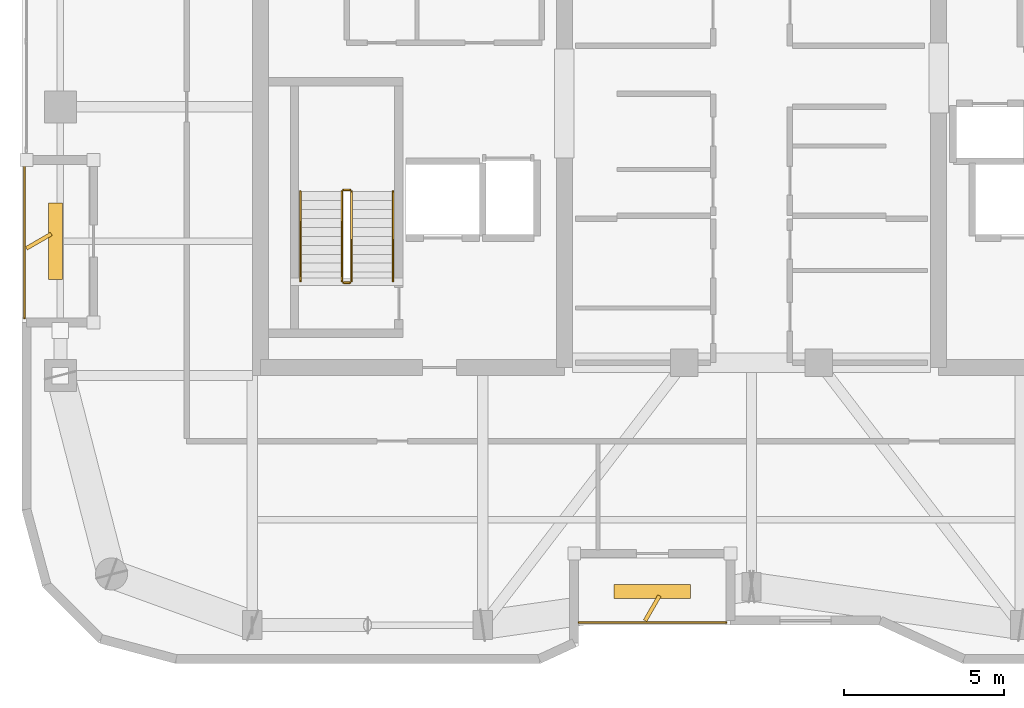
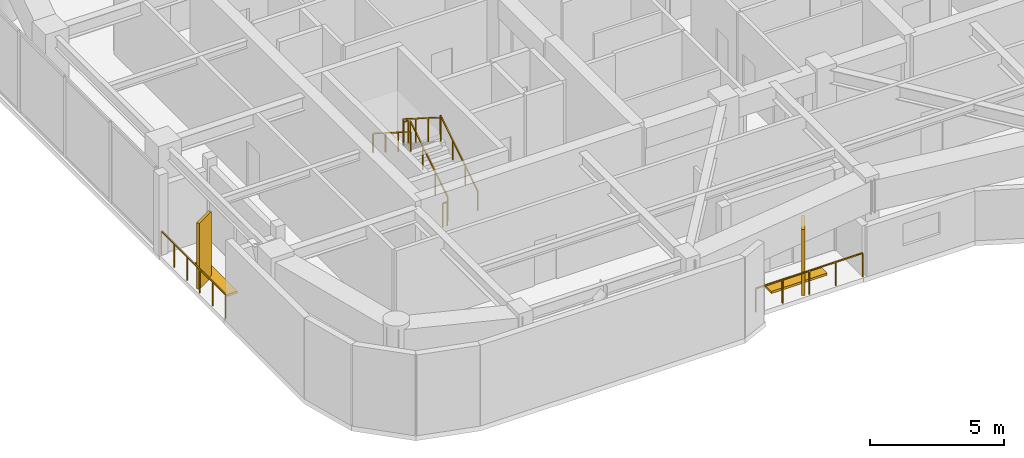
# One storey, part 14 of 15: 8 railings, 4 shading devices.
"""IFC4 building model written with IfcOpenShell, lengths in metres."""

from ifc_helpers import new_model, si_unit, direction, frame, origin, origin_2d, place, context, subcontext, project, spatial, rectangle, extrude, material, type_object, element, save


model = new_model("IFC4")

# Units and contexts
model_context = context("Model", 3, precision=1e-05, world=origin(), true_north=direction((0.0, 1.0)))
body_context = subcontext(model_context, "Body", "Model", "MODEL_VIEW")
ifc_project = project(units=[si_unit("LENGTHUNIT", "METRE"), si_unit("AREAUNIT", "SQUARE_METRE"), si_unit("VOLUMEUNIT", "CUBIC_METRE"), si_unit("PLANEANGLEUNIT", "RADIAN"), si_unit("MASSUNIT", "GRAM", prefix="KILO")], contexts=[model_context])

# Site, building, storey
site_placement = place(None, origin())
site = spatial("IfcSite", under=ifc_project, at=site_placement, CompositionType="ELEMENT")
building_placement = place(site_placement, origin())
building = spatial("IfcBuilding", under=site, at=building_placement, Name="Kiyonajd Concourse Tower", CompositionType="ELEMENT")
storey_placement = place(building_placement, frame((0.0, 0.0, 270.60009765625)))
storey = spatial("IfcBuildingStorey", under=building, at=storey_placement, Name="L68", CompositionType="ELEMENT", Elevation=270.60009765625)

# Railings
ifc_material_1 = material(Name="Thermally Broken Anodised Aluminium", Category="aluminium")
railing_type_1 = type_object("IfcRailingType", Name="RL-GRD-LOG", PredefinedType="GUARDRAIL", material=ifc_material_1)
railing_1_placement = place(storey_placement, frame((42.60009765625, 19.8798828125, 0.0)))
element("IfcRailing", 1, at=railing_1_placement, inside=storey, type_object=railing_type_1, Name="L68 Engawa Loggia Perimeter Guard LOG-S", PredefinedType="GUARDRAIL", context=body_context, shape_type="SweptSolid", body=[
    extrude(rectangle(XDim=0.048095703125, YDim=0.048095703125, at=origin_2d()), frame((0.0, 0.0, 1.076171875), z_axis=(1.0, 0.0, 0.0), x_axis=(0.0, 1.0, 0.0)), (0.0, 0.0, 1.0), 4.599853515625),
    extrude(rectangle(XDim=0.0419921875, YDim=0.0419921875, at=origin_2d()), origin(), (0.0, 0.0, 1.0), 1.052001953125),
    extrude(rectangle(XDim=0.0419921875, YDim=0.0419921875, at=origin_2d()), frame((1.14990234375, 0.0, 0.0)), (0.0, 0.0, 1.0), 1.052001953125),
    extrude(rectangle(XDim=0.0419921875, YDim=0.0419921875, at=origin_2d()), frame((2.2998046875, 0.0, 0.0)), (0.0, 0.0, 1.0), 1.052001953125),
    extrude(rectangle(XDim=0.0419921875, YDim=0.0419921875, at=origin_2d()), frame((3.449951171875, 0.0, 0.0)), (0.0, 0.0, 1.0), 1.052001953125),
    extrude(rectangle(XDim=0.0419921875, YDim=0.0419921875, at=origin_2d()), frame((4.599853515625, 0.0, 0.0)), (0.0, 0.0, 1.0), 1.052001953125),
])
railing_2_placement = place(storey_placement, frame((25.280029296875, 34.199951171875, 0.0)))
element("IfcRailing", 2, at=railing_2_placement, inside=storey, type_object=railing_type_1, Name="L68 Engawa Loggia Perimeter Guard LOG-W", PredefinedType="GUARDRAIL", context=body_context, shape_type="SweptSolid", body=[
    extrude(rectangle(XDim=0.048095703125, YDim=0.048095703125, at=origin_2d()), frame((0.0, 0.0, 1.076171875), z_axis=(0.0, -1.0, 0.0), x_axis=(1.0, 0.0, 0.0)), (0.0, 0.0, 1.0), 4.800048828125),
    extrude(rectangle(XDim=0.0419921875, YDim=0.0419921875, at=origin_2d()), origin(), (0.0, 0.0, 1.0), 1.052001953125),
    extrude(rectangle(XDim=0.0419921875, YDim=0.0419921875, at=origin_2d()), frame((0.0, -0.9599609375, 0.0)), (0.0, 0.0, 1.0), 1.052001953125),
    extrude(rectangle(XDim=0.0419921875, YDim=0.0419921875, at=origin_2d()), frame((0.0, -1.919921875, 0.0)), (0.0, 0.0, 1.0), 1.052001953125),
    extrude(rectangle(XDim=0.0419921875, YDim=0.0419921875, at=origin_2d()), frame((0.0, -2.880126953125, 0.0)), (0.0, 0.0, 1.0), 1.052001953125),
    extrude(rectangle(XDim=0.0419921875, YDim=0.0419921875, at=origin_2d()), frame((0.0, -3.840087890625, 0.0)), (0.0, 0.0, 1.0), 1.052001953125),
    extrude(rectangle(XDim=0.0419921875, YDim=0.0419921875, at=origin_2d()), frame((0.0, -4.800048828125, 0.0)), (0.0, 0.0, 1.0), 1.052001953125),
])
ifc_material_2 = material(Name="Steel ASTM A500 Grade C", Category="steel")
railing_type_2 = type_object("IfcRailingType", Name="RL-GRD-STR", PredefinedType="GUARDRAIL", material=ifc_material_2)
railing_3_placement = place(storey_placement, frame((35.5, 30.550048828125, 0.17724609375)))
element("IfcRailing", 3, at=railing_3_placement, inside=storey, type_object=railing_type_2, Name="L68 ST1 stair guard 1", PredefinedType="GUARDRAIL", context=body_context, shape_type="SweptSolid", body=[
    extrude(rectangle(XDim=0.048095703125, YDim=0.048095703125, at=origin_2d()), frame((0.0, 0.0, 1.076171875), z_axis=(0.0, 0.844908973607, 0.534910110503), x_axis=(-1.0, 0.0, 0.0)), (0.0, 0.0, 1.0), 3.31396484375),
    extrude(rectangle(XDim=0.0419921875, YDim=0.0419921875, at=origin_2d()), origin(), (0.0, 0.0, 1.0), 1.052001953125),
    extrude(rectangle(XDim=0.0419921875, YDim=0.0419921875, at=origin_2d()), frame((0.0, 0.933349609375, 0.5908203125)), (0.0, 0.0, 1.0), 1.052001953125),
    extrude(rectangle(XDim=0.0419921875, YDim=0.0419921875, at=origin_2d()), frame((0.0, 1.86669921875, 1.181884765625)), (0.0, 0.0, 1.0), 1.052001953125),
    extrude(rectangle(XDim=0.0419921875, YDim=0.0419921875, at=origin_2d()), frame((0.0, 2.800048828125, 1.772705078125)), (0.0, 0.0, 1.0), 1.052001953125),
])
railing_4_placement = place(storey_placement, frame((35.449951171875, 33.39990234375, 1.949951171875)))
element("IfcRailing", 4, at=railing_4_placement, inside=storey, type_object=railing_type_2, Name="L68 ST1 stair guard 2", PredefinedType="GUARDRAIL", context=body_context, shape_type="SweptSolid", body=[
    extrude(rectangle(XDim=0.048095703125, YDim=0.048095703125, at=origin_2d()), frame((0.0, 0.0, 1.076171875), z_axis=(-1.0, 0.0, 0.0), x_axis=(0.0, -1.0, 0.0)), (0.0, 0.0, 1.0), 0.199951171875),
    extrude(rectangle(XDim=0.0419921875, YDim=0.0419921875, at=origin_2d()), origin(), (0.0, 0.0, 1.0), 1.052001953125),
    extrude(rectangle(XDim=0.0419921875, YDim=0.0419921875, at=origin_2d()), frame((-0.199951171875, 0.0, 0.0)), (0.0, 0.0, 1.0), 1.052001953125),
])
railing_5_placement = place(storey_placement, frame((35.199951171875, 33.35009765625, 2.127197265625)))
element("IfcRailing", 5, at=railing_5_placement, inside=storey, type_object=railing_type_2, Name="L68 ST1 stair guard 3", PredefinedType="GUARDRAIL", context=body_context, shape_type="SweptSolid", body=[
    extrude(rectangle(XDim=0.048095703125, YDim=0.048095703125, at=origin_2d()), frame((0.0, 0.0, 1.076171875), z_axis=(0.0, -0.844908973607, 0.534910110503), x_axis=(1.0, 0.0, 0.0)), (0.0, 0.0, 1.0), 3.31396484375),
    extrude(rectangle(XDim=0.0419921875, YDim=0.0419921875, at=origin_2d()), origin(), (0.0, 0.0, 1.0), 1.052001953125),
    extrude(rectangle(XDim=0.0419921875, YDim=0.0419921875, at=origin_2d()), frame((0.0, -0.933349609375, 0.5908203125)), (0.0, 0.0, 1.0), 1.052001953125),
    extrude(rectangle(XDim=0.0419921875, YDim=0.0419921875, at=origin_2d()), frame((0.0, -1.86669921875, 1.181884765625)), (0.0, 0.0, 1.0), 1.052001953125),
    extrude(rectangle(XDim=0.0419921875, YDim=0.0419921875, at=origin_2d()), frame((0.0, -2.800048828125, 1.772705078125)), (0.0, 0.0, 1.0), 1.052001953125),
])
railing_6_placement = place(storey_placement, frame((35.449951171875, 30.5, 0.0)))
element("IfcRailing", 6, at=railing_6_placement, inside=storey, type_object=railing_type_2, Name="L68 ST1 stair guard 4", PredefinedType="GUARDRAIL", context=body_context, shape_type="SweptSolid", body=[
    extrude(rectangle(XDim=0.048095703125, YDim=0.048095703125, at=origin_2d()), frame((0.0, 0.0, 1.076171875), z_axis=(-1.0, 0.0, 0.0), x_axis=(0.0, -1.0, 0.0)), (0.0, 0.0, 1.0), 0.199951171875),
    extrude(rectangle(XDim=0.0419921875, YDim=0.0419921875, at=origin_2d()), origin(), (0.0, 0.0, 1.0), 1.052001953125),
    extrude(rectangle(XDim=0.0419921875, YDim=0.0419921875, at=origin_2d()), frame((-0.199951171875, 0.0, 0.0)), (0.0, 0.0, 1.0), 1.052001953125),
])
ifc_material_3 = material(Name="Brushed Stainless Steel Cab Assembly", Category="steel")
railing_type_3 = type_object("IfcRailingType", Name="RL-HND-900", PredefinedType="HANDRAIL", material=ifc_material_3)
railing_7_placement = place(storey_placement, frame((36.800048828125, 30.550048828125, 0.17724609375)))
element("IfcRailing", 7, at=railing_7_placement, inside=storey, type_object=railing_type_3, Name="L68 ST1 stair handrail 1", PredefinedType="HANDRAIL", context=body_context, shape_type="SweptSolid", body=[
    extrude(rectangle(XDim=0.048095703125, YDim=0.048095703125, at=origin_2d()), frame((0.0, 0.0, 0.8759765625), z_axis=(0.0, 0.844908973607, 0.534910110503), x_axis=(-1.0, 0.0, 0.0)), (0.0, 0.0, 1.0), 3.31396484375),
    extrude(rectangle(XDim=0.0419921875, YDim=0.0419921875, at=origin_2d()), origin(), (0.0, 0.0, 1.0), 0.851806640625),
    extrude(rectangle(XDim=0.0419921875, YDim=0.0419921875, at=origin_2d()), frame((0.0, 0.933349609375, 0.5908203125)), (0.0, 0.0, 1.0), 0.851806640625),
    extrude(rectangle(XDim=0.0419921875, YDim=0.0419921875, at=origin_2d()), frame((0.0, 1.86669921875, 1.181884765625)), (0.0, 0.0, 1.0), 0.851806640625),
    extrude(rectangle(XDim=0.0419921875, YDim=0.0419921875, at=origin_2d()), frame((0.0, 2.800048828125, 1.772705078125)), (0.0, 0.0, 1.0), 0.851806640625),
])
railing_8_placement = place(storey_placement, frame((33.89990234375, 33.35009765625, 2.127197265625)))
element("IfcRailing", 8, at=railing_8_placement, inside=storey, type_object=railing_type_3, Name="L68 ST1 stair handrail 2", PredefinedType="HANDRAIL", context=body_context, shape_type="SweptSolid", body=[
    extrude(rectangle(XDim=0.048095703125, YDim=0.048095703125, at=origin_2d()), frame((0.0, 0.0, 0.8759765625), z_axis=(0.0, -0.844908973607, 0.534910110503), x_axis=(1.0, 0.0, 0.0)), (0.0, 0.0, 1.0), 3.31396484375),
    extrude(rectangle(XDim=0.0419921875, YDim=0.0419921875, at=origin_2d()), origin(), (0.0, 0.0, 1.0), 0.851806640625),
    extrude(rectangle(XDim=0.0419921875, YDim=0.0419921875, at=origin_2d()), frame((0.0, -0.933349609375, 0.5908203125)), (0.0, 0.0, 1.0), 0.851806640625),
    extrude(rectangle(XDim=0.0419921875, YDim=0.0419921875, at=origin_2d()), frame((0.0, -1.86669921875, 1.181884765625)), (0.0, 0.0, 1.0), 0.851806640625),
    extrude(rectangle(XDim=0.0419921875, YDim=0.0419921875, at=origin_2d()), frame((0.0, -2.800048828125, 1.772705078125)), (0.0, 0.0, 1.0), 0.851806640625),
])

# Shading devices
ifc_material_4 = material(Name="Precast concrete C50/60", Category="concrete")
shading_device_type_1 = type_object("IfcShadingDeviceType", Name="SH-FIN-900", PredefinedType="USERDEFINED", material=ifc_material_4)
for number, where, z_axis, x_axis, name in (
    (9, (44.89990234375, 20.330078125, 0.0), (0.0, 0.0, 1.0), (0.5, 0.866025403784, 0.0), "L68 Angled Koshi Solar Fin LOG-S"),
    (10, (25.72998046875, 31.800048828125, 0.0), (0.0, 0.0, 1.0), (0.866025403784, 0.5, 0.0), "L68 Angled Koshi Solar Fin LOG-W"),
):
    element("IfcShadingDevice", number, at=place(storey_placement, frame(where, z_axis=z_axis, x_axis=x_axis)), inside=storey, type_object=shading_device_type_1, Name=name, ObjectType="FIN", PredefinedType="USERDEFINED", context=body_context, shape_type="SweptSolid", body=[
        extrude(rectangle(XDim=0.89990234375, YDim=0.1201171875, at=origin_2d()), origin(), (0.0, 0.0, 1.0), 3.0),
    ])
shading_device_type_2 = type_object("IfcShadingDeviceType", Name="SH-LVR-600", PredefinedType="JALOUSIE", material=ifc_material_1)
for number, where, z_axis, x_axis, name in (
    (11, (44.89990234375, 20.85009765625, -0.000244140625), (0.0, 0.0, 1.0), (1.0, 0.0, 0.0), "L68 Loggia Threshold Louver LOG-S"),
    (12, (26.25, 31.800048828125, -0.000244140625), (0.0, 0.0, 1.0), (0.0, 1.0, 0.0), "L68 Loggia Threshold Louver LOG-W"),
):
    element("IfcShadingDevice", number, at=place(storey_placement, frame(where, z_axis=z_axis, x_axis=x_axis)), inside=storey, type_object=shading_device_type_2, Name=name, PredefinedType="JALOUSIE", context=body_context, shape_type="SweptSolid", body=[
        extrude(rectangle(XDim=2.39990234375, YDim=0.449951171875, at=origin_2d()), origin(), (0.0, 0.0, 1.0), 0.10009765625),
    ])

save(model, "model.ifc")
